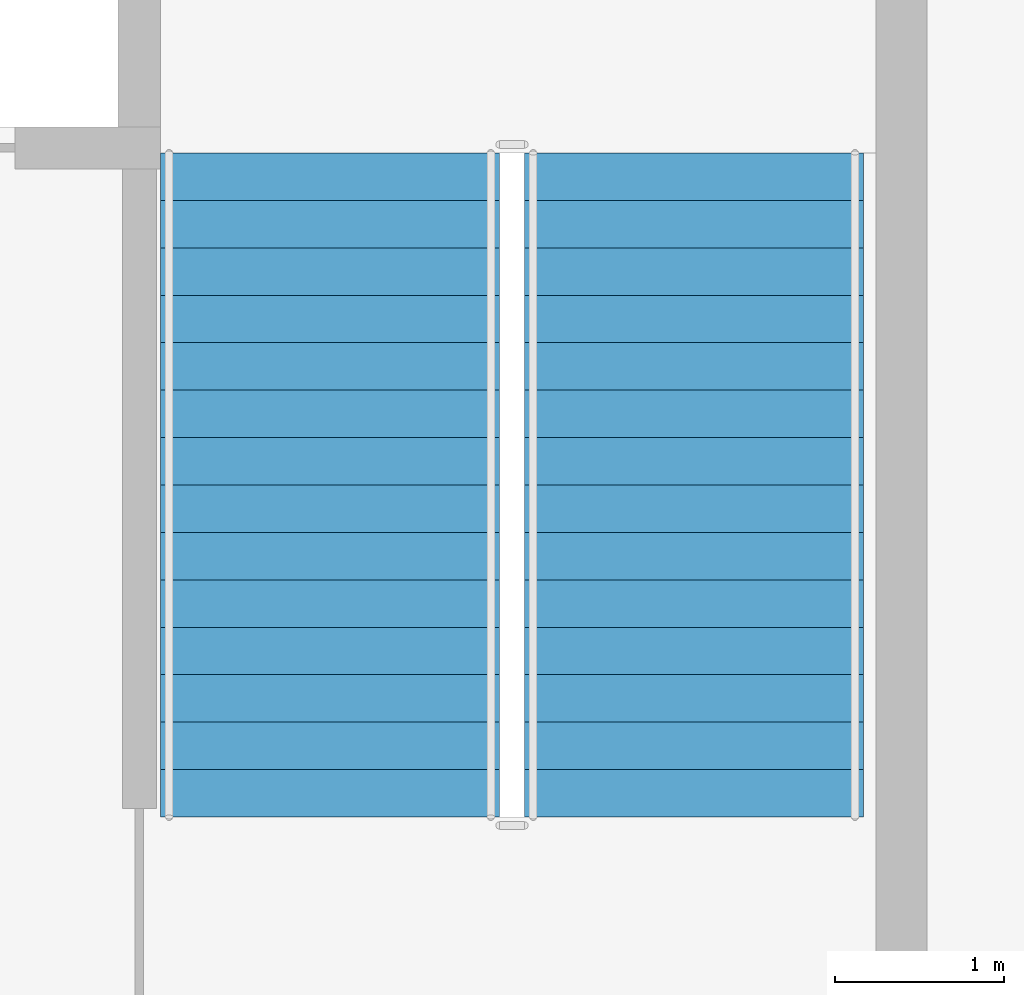
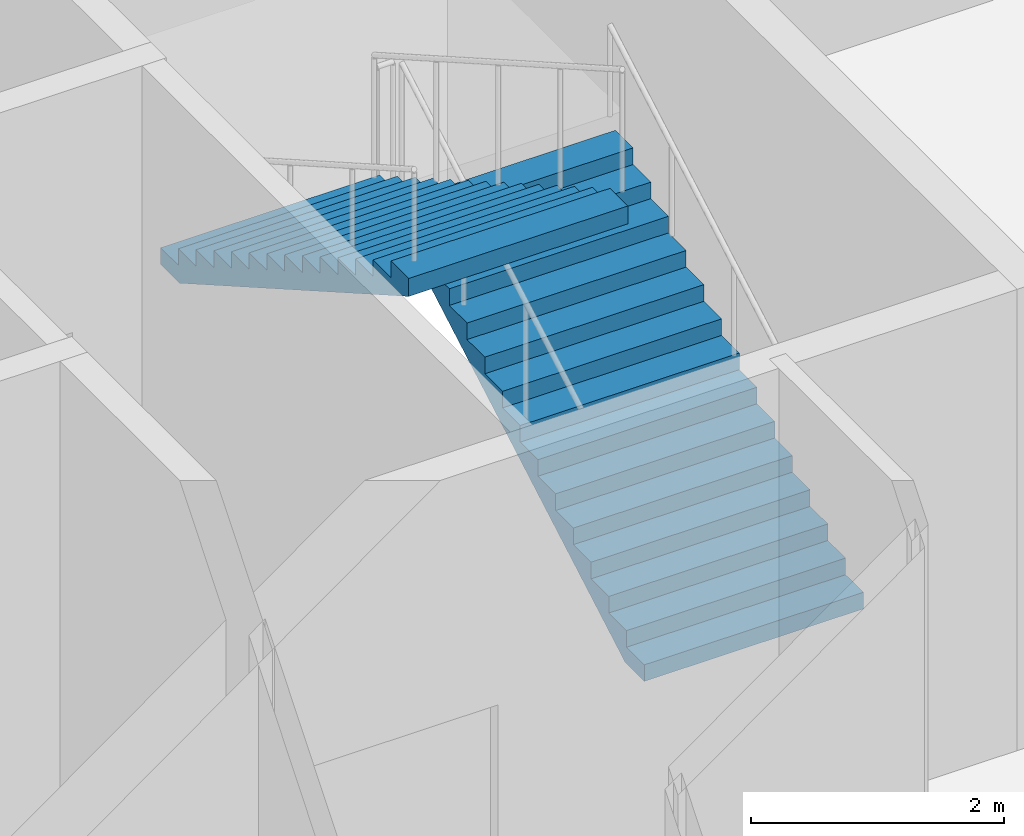
# One storey, part 6 of 10: 2 stair flights, 1 element without a shape of its own.
"""IFC4 building model written with IfcOpenShell, lengths in metres."""

import ifcopenshell
import ifcopenshell.guid

model = None  # the IFC model being written
_history = None  # IfcOwnerHistory: only IFC2X3 demands one
_inside = {}  # id of a spatial element -> (the spatial element, [elements in it])
_under = {}  # id of a project, library or spatial element -> (it, [spatial elements below it])
_declared = {}  # id of a project -> (the project, [libraries it declares])
_typed = {}  # id of a type object -> (the type object, [elements of that type])
_made_of = {}  # id of a material, layer set ... -> (it, [elements and type objects made of it])


def new_model(schema):
    """Start an empty IFC model of exactly this schema.

    Asked for "IFC4X3", IfcOpenShell would pick the latest addendum, in which some entities
    have other attributes; the version numbers below select the first issue.
    IFC2X3 requires an IfcOwnerHistory on every rooted entity: one is made here for all.
    """
    global model, _history
    if schema == "IFC4X3":
        model = ifcopenshell.file(schema_version=(4, 3, 0, 0))
    else:
        model = ifcopenshell.file(schema=schema)
    _inside.clear()
    _under.clear()
    _declared.clear()
    _typed.clear()
    _made_of.clear()
    _history = None
    if model.schema == "IFC2X3":
        org = make("IfcOrganization", Name="unknown")
        user = make(
            "IfcPersonAndOrganization",
            ThePerson=make("IfcPerson", FamilyName="unknown"),
            TheOrganization=org,
        )
        app = make(
            "IfcApplication",
            ApplicationDeveloper=org,
            Version="unknown",
            ApplicationFullName="unknown",
            ApplicationIdentifier="unknown",
        )
        _history = make(
            "IfcOwnerHistory",
            OwningUser=user,
            OwningApplication=app,
            ChangeAction="ADDED",
            CreationDate=0,
        )
    return model


def make(cls, **values):
    """One entity of the class cls with the attributes given. An attribute that is None is left unset."""
    return model.create_entity(
        cls, **{name: value for name, value in values.items() if value is not None}
    )


def rooted(cls, **values):
    """An entity with a GlobalId (a new one), such as an element, a storey or a relation."""
    return make(cls, GlobalId=ifcopenshell.guid.new(), OwnerHistory=_history, **values)


def si_unit(unit_type, name, prefix=None):
    """IfcSIUnit, for example si_unit("LENGTHUNIT", "METRE", prefix="MILLI")."""
    return make("IfcSIUnit", UnitType=unit_type, Prefix=prefix, Name=name)


def assignment(units):
    """IfcUnitAssignment: the units of a project."""
    return None if units is None else make("IfcUnitAssignment", Units=units)


def point(xyz):
    """IfcCartesianPoint."""
    return None if xyz is None else make("IfcCartesianPoint", Coordinates=xyz)


def direction(xyz):
    """IfcDirection."""
    return None if xyz is None else make("IfcDirection", DirectionRatios=xyz)


def frame(location, z_axis=None, x_axis=None):
    """IfcAxis2Placement3D, a coordinate frame: its origin and axes. An axis left out is left unset."""
    return make(
        "IfcAxis2Placement3D",
        Location=point(location),
        Axis=direction(z_axis),
        RefDirection=direction(x_axis),
    )


def origin():
    """The frame at (0, 0, 0) with its axes left unset."""
    return frame((0.0, 0.0, 0.0))


def place(relative_to, where):
    """IfcLocalPlacement: puts the frame where relative to a parent placement (None: the world)."""
    return make(
        "IfcLocalPlacement", PlacementRelTo=relative_to, RelativePlacement=where
    )


def context(
    kind, dimensions, precision=None, world=None, true_north=None, identifier=None
):
    """IfcGeometricRepresentationContext, for example the 3D "Model" context."""
    return make(
        "IfcGeometricRepresentationContext",
        ContextIdentifier=identifier,
        ContextType=kind,
        CoordinateSpaceDimension=dimensions,
        Precision=precision,
        WorldCoordinateSystem=world,
        TrueNorth=true_north,
    )


def subcontext(parent, identifier, kind, view, scale=None):
    """IfcGeometricRepresentationSubContext, for example "Body" below "Model"."""
    return make(
        "IfcGeometricRepresentationSubContext",
        ContextIdentifier=identifier,
        ContextType=kind,
        ParentContext=parent,
        TargetScale=scale,
        TargetView=view,
    )


def project(units=None, contexts=None):
    """IfcProject with its units and contexts."""
    return rooted(
        "IfcProject",
        Name="project",
        RepresentationContexts=contexts,
        UnitsInContext=assignment(units),
    )


def spatial(cls, under=None, at=None, **own):
    """A site, building, storey or space (cls), placed at a placement, below another one or the project."""
    s = rooted(cls, ObjectPlacement=at, **own)
    if under is not None:
        _under.setdefault(under.id(), (under, []))[1].append(s)
    return s


def point_list(points):
    """IfcCartesianPointList2D or 3D."""
    cls = (
        "IfcCartesianPointList2D" if len(points[0]) == 2 else "IfcCartesianPointList3D"
    )
    return make(cls, CoordList=points)


def polygons(points, faces, closed=None, point_numbers=None):
    """IfcPolygonalFaceSet: a face is its outer loop, then its inner loops; points numbered from 1."""
    made = []
    for loops in faces:
        if len(loops) == 1:
            made.append(make("IfcIndexedPolygonalFace", CoordIndex=loops[0]))
        else:
            made.append(
                make(
                    "IfcIndexedPolygonalFaceWithVoids",
                    CoordIndex=loops[0],
                    InnerCoordIndices=loops[1:],
                )
            )
    return make(
        "IfcPolygonalFaceSet",
        Coordinates=point_list(points),
        Closed=closed,
        Faces=made,
        PnIndex=point_numbers,
    )


def shape(context_of_items, identifier, shape_type, items):
    """IfcShapeRepresentation: the items that make up one representation, for example the "Body"."""
    return make(
        "IfcShapeRepresentation",
        ContextOfItems=context_of_items,
        RepresentationIdentifier=identifier,
        RepresentationType=shape_type,
        Items=items,
    )


def material(Name=None, Category=None):
    """IfcMaterial."""
    return make("IfcMaterial", Name=Name, Category=Category)


def made_of(thing, what):
    """Note that an element or type object is made of a material, layer set ...; save() writes the relation."""
    if what is not None:
        _made_of.setdefault(what.id(), (what, []))[1].append(thing)
    return thing


def type_object(cls, material=None, **own):
    """A type object (cls), such as IfcWallType, which elements share."""
    return made_of(rooted(cls, **own), material)


def element(
    cls,
    number,
    at=None,
    inside=None,
    cuts=None,
    type_object=None,
    material=None,
    context=None,
    identifier="Body",
    shape_type=None,
    held_by="IfcProductDefinitionShape",
    body=None,
    shapes=None,
    **own,
):
    """One element of the class cls, such as IfcWall. Its Tag is "e" and its number.

    at: its placement. inside: the storey or other place that contains it. cuts: it is an
    opening in that element (IfcRelVoidsElement). A single representation is given by context,
    identifier, shape_type and body (its items); several are given by shapes. held_by: the class
    of the entity that holds the representations. save() writes the other relations.
    """
    e = rooted(cls, Tag="e%d" % number, ObjectPlacement=at, **own)
    if body is not None:
        shapes = [shape(context, identifier, shape_type, body)]
    if shapes is not None:
        e.Representation = make(held_by, Representations=shapes)
    if inside is not None:
        _inside.setdefault(inside.id(), (inside, []))[1].append(e)
    if cuts is not None:
        rooted(
            "IfcRelVoidsElement", RelatingBuildingElement=cuts, RelatedOpeningElement=e
        )
    if type_object is not None:
        _typed.setdefault(type_object.id(), (type_object, []))[1].append(e)
    return made_of(e, material)


def aggregate(whole, parts):
    """IfcRelAggregates: a whole, such as a stair, and the parts it consists of."""
    return rooted("IfcRelAggregates", RelatingObject=whole, RelatedObjects=parts)


def save(model, path):
    """Write the relations noted so far, then the file.

    IfcRelAggregates (storeys below a building ...), IfcRelContainedInSpatialStructure (elements
    in a storey), IfcRelDefinesByType, IfcRelAssociatesMaterial and IfcRelDeclares: one each for
    every whole, place, type object, material and project.
    """
    for whole, parts in _under.values():
        aggregate(whole, parts)
    for where, things in _inside.values():
        rooted(
            "IfcRelContainedInSpatialStructure",
            RelatedElements=things,
            RelatingStructure=where,
        )
    for kind, things in _typed.values():
        rooted("IfcRelDefinesByType", RelatedObjects=things, RelatingType=kind)
    for what, things in _made_of.values():
        rooted("IfcRelAssociatesMaterial", RelatedObjects=things, RelatingMaterial=what)
    for by, libraries in _declared.values():
        rooted("IfcRelDeclares", RelatingContext=by, RelatedDefinitions=libraries)
    model.write(path)


model = new_model("IFC4")

# Units and contexts
model_context = context("Model", 3, precision=1e-05, world=origin(), true_north=direction((0.0, 1.0)))
body_context = subcontext(model_context, "Body", "Model", "MODEL_VIEW")
ifc_project = project(units=[si_unit("LENGTHUNIT", "METRE"), si_unit("AREAUNIT", "SQUARE_METRE"), si_unit("VOLUMEUNIT", "CUBIC_METRE"), si_unit("PLANEANGLEUNIT", "RADIAN"), si_unit("MASSUNIT", "GRAM", prefix="KILO")], contexts=[model_context])

# Site, building, storey
site_placement = place(None, origin())
site = spatial("IfcSite", under=ifc_project, at=site_placement, CompositionType="ELEMENT")
building_placement = place(site_placement, origin())
building = spatial("IfcBuilding", under=site, at=building_placement, Name="Caravel Reach Hotel and Residences", CompositionType="ELEMENT")
storey_placement = place(building_placement, frame((0.0, 0.0, 140.39990234375)))
storey = spatial("IfcBuildingStorey", under=building, at=storey_placement, Name="L35", CompositionType="ELEMENT", Elevation=140.39990234375)

# Stair, stair flights
ifc_material_1 = material(Name="Concrete C40", Category="concrete")
stair_type = type_object("IfcStairType", Name="Core stair", PredefinedType="HALF_TURN_STAIR", material=ifc_material_1)
stair_placement = place(storey_placement, origin())
stair = element("IfcStair", 1, at=stair_placement, inside=storey, type_object=stair_type, Name="L35 Exit stair B", PredefinedType="HALF_TURN_STAIR")
ifc_material_2 = material(Name="Concrete C40", Category="concrete")
stair_flight_type = type_object("IfcStairFlightType", Name="Core stair flight", PredefinedType="STRAIGHT", material=ifc_material_2)
stair_flight_1_placement = place(storey_placement, frame((43.77490234375, 24.64990234375, 0.0), z_axis=(0.0, 0.0, 1.0), x_axis=(0.0, 1.0, 0.0)))
stair_flight_1 = element("IfcStairFlight", 2, at=stair_flight_1_placement, type_object=stair_flight_type, Name="ST-B flight 1", NumberOfRisers=15, NumberOfTreads=14, PredefinedType="STRAIGHT", RiserHeight=0.16, TreadLength=0.28, context=body_context, shape_type="Tessellation", body=[
    polygons([(0.30213783309663755, 1.0, 0.0), (0.30213783309663755, 0.6666666666666667, 0.0), (0.30213783309663755, 0.33333333333333337, 0.0), (0.30213783309663755, 0.0, 0.0), (0.30213783309663755, -0.33333333333333326, 0.0), (0.30213783309663755, -0.6666666666666667, 0.0), (0.30213783309663755, -1.0, 0.0), (3.9210000000000003, 1.0, 2.0673498096590643), (3.9210000000000003, 0.6666666666666667, 2.0673498096590643), (3.9210000000000003, 0.33333333333333337, 2.0673498096590643), (3.9210000000000003, 0.0, 2.0673498096590643), (3.9210000000000003, -0.33333333333333326, 2.0673498096590643), (3.9210000000000003, -0.6666666666666667, 2.0673498096590643), (3.9210000000000003, -1.0, 2.0673498096590643), (3.9210000000000003, 1.0, 2.24), (3.9210000000000003, 0.6666666666666667, 2.24), (3.9210000000000003, 0.33333333333333337, 2.24), (3.9210000000000003, 0.0, 2.24), (3.9210000000000003, -0.33333333333333326, 2.24), (3.9210000000000003, -0.6666666666666667, 2.24), (3.9210000000000003, -1.0, 2.24), (3.6400000000000006, 1.0, 2.24), (3.6400000000000006, 0.6666666666666667, 2.24), (3.6400000000000006, 0.33333333333333337, 2.24), (3.6400000000000006, 0.0, 2.24), (3.6400000000000006, -0.33333333333333326, 2.24), (3.6400000000000006, -0.6666666666666667, 2.24), (3.6400000000000006, -1.0, 2.24), (3.6400000000000006, 1.0, 2.08), (3.6400000000000006, 0.6666666666666667, 2.08), (3.6400000000000006, 0.33333333333333337, 2.08), (3.6400000000000006, 0.0, 2.08), (3.6400000000000006, -0.33333333333333326, 2.08), (3.6400000000000006, -0.6666666666666667, 2.08), (3.6400000000000006, -1.0, 2.08), (3.3600000000000003, 1.0, 2.08), (3.3600000000000003, 0.6666666666666667, 2.08), (3.3600000000000003, 0.33333333333333337, 2.08), (3.3600000000000003, 0.0, 2.08), (3.3600000000000003, -0.33333333333333326, 2.08), (3.3600000000000003, -0.6666666666666667, 2.08), (3.3600000000000003, -1.0, 2.08), (3.3600000000000003, 1.0, 1.92), (3.3600000000000003, 0.6666666666666667, 1.92), (3.3600000000000003, 0.33333333333333337, 1.92), (3.3600000000000003, 0.0, 1.92), (3.3600000000000003, -0.33333333333333326, 1.92), (3.3600000000000003, -0.6666666666666667, 1.92), (3.3600000000000003, -1.0, 1.92), (3.08, 1.0, 1.92), (3.08, 0.6666666666666667, 1.92), (3.08, 0.33333333333333337, 1.92), (3.08, 0.0, 1.92), (3.08, -0.33333333333333326, 1.92), (3.08, -0.6666666666666667, 1.92), (3.08, -1.0, 1.92), (3.08, 1.0, 1.76), (3.08, 0.6666666666666667, 1.76), (3.08, 0.33333333333333337, 1.76), (3.08, 0.0, 1.76), (3.08, -0.33333333333333326, 1.76), (3.08, -0.6666666666666667, 1.76), (3.08, -1.0, 1.76), (2.8000000000000003, 1.0, 1.76), (2.8000000000000003, 0.6666666666666667, 1.76), (2.8000000000000003, 0.33333333333333337, 1.76), (2.8000000000000003, 0.0, 1.76), (2.8000000000000003, -0.33333333333333326, 1.76), (2.8000000000000003, -0.6666666666666667, 1.76), (2.8000000000000003, -1.0, 1.76), (2.8000000000000003, 1.0, 1.6), (2.8000000000000003, 0.6666666666666667, 1.6), (2.8000000000000003, 0.33333333333333337, 1.6), (2.8000000000000003, 0.0, 1.6), (2.8000000000000003, -0.33333333333333326, 1.6), (2.8000000000000003, -0.6666666666666667, 1.6), (2.8000000000000003, -1.0, 1.6), (2.5200000000000005, 1.0, 1.6), (2.5200000000000005, 0.6666666666666667, 1.6), (2.5200000000000005, 0.33333333333333337, 1.6), (2.5200000000000005, 0.0, 1.6), (2.5200000000000005, -0.33333333333333326, 1.6), (2.5200000000000005, -0.6666666666666667, 1.6), (2.5200000000000005, -1.0, 1.6), (2.5200000000000005, 1.0, 1.44), (2.5200000000000005, 0.6666666666666667, 1.44), (2.5200000000000005, 0.33333333333333337, 1.44), (2.5200000000000005, 0.0, 1.44), (2.5200000000000005, -0.33333333333333326, 1.44), (2.5200000000000005, -0.6666666666666667, 1.44), (2.5200000000000005, -1.0, 1.44), (2.24, 1.0, 1.44), (2.24, 0.6666666666666667, 1.44), (2.24, 0.33333333333333337, 1.44), (2.24, 0.0, 1.44), (2.24, -0.33333333333333326, 1.44), (2.24, -0.6666666666666667, 1.44), (2.24, -1.0, 1.44), (2.24, 1.0, 1.28), (2.24, 0.6666666666666667, 1.28), (2.24, 0.33333333333333337, 1.28), (2.24, 0.0, 1.28), (2.24, -0.33333333333333326, 1.28), (2.24, -0.6666666666666667, 1.28), (2.24, -1.0, 1.28), (1.9600000000000002, 1.0, 1.28), (1.9600000000000002, 0.6666666666666667, 1.28), (1.9600000000000002, 0.33333333333333337, 1.28), (1.9600000000000002, 0.0, 1.28), (1.9600000000000002, -0.33333333333333326, 1.28), (1.9600000000000002, -0.6666666666666667, 1.28), (1.9600000000000002, -1.0, 1.28), (1.9600000000000002, 1.0, 1.12), (1.9600000000000002, 0.6666666666666667, 1.12), (1.9600000000000002, 0.33333333333333337, 1.12), (1.9600000000000002, 0.0, 1.12), (1.9600000000000002, -0.33333333333333326, 1.12), (1.9600000000000002, -0.6666666666666667, 1.12), (1.9600000000000002, -1.0, 1.12), (1.6800000000000002, 1.0, 1.12), (1.6800000000000002, 0.6666666666666667, 1.12), (1.6800000000000002, 0.33333333333333337, 1.12), (1.6800000000000002, 0.0, 1.12), (1.6800000000000002, -0.33333333333333326, 1.12), (1.6800000000000002, -0.6666666666666667, 1.12), (1.6800000000000002, -1.0, 1.12), (1.6800000000000002, 1.0, 0.96), (1.6800000000000002, 0.6666666666666667, 0.96), (1.6800000000000002, 0.33333333333333337, 0.96), (1.6800000000000002, 0.0, 0.96), (1.6800000000000002, -0.33333333333333326, 0.96), (1.6800000000000002, -0.6666666666666667, 0.96), (1.6800000000000002, -1.0, 0.96), (1.4000000000000001, 1.0, 0.96), (1.4000000000000001, 0.6666666666666667, 0.96), (1.4000000000000001, 0.33333333333333337, 0.96), (1.4000000000000001, 0.0, 0.96), (1.4000000000000001, -0.33333333333333326, 0.96), (1.4000000000000001, -0.6666666666666667, 0.96), (1.4000000000000001, -1.0, 0.96), (1.4000000000000001, 1.0, 0.8), (1.4000000000000001, 0.6666666666666667, 0.8), (1.4000000000000001, 0.33333333333333337, 0.8), (1.4000000000000001, 0.0, 0.8), (1.4000000000000001, -0.33333333333333326, 0.8), (1.4000000000000001, -0.6666666666666667, 0.8), (1.4000000000000001, -1.0, 0.8), (1.12, 1.0, 0.8), (1.12, 0.6666666666666667, 0.8), (1.12, 0.33333333333333337, 0.8), (1.12, 0.0, 0.8), (1.12, -0.33333333333333326, 0.8), (1.12, -0.6666666666666667, 0.8), (1.12, -1.0, 0.8), (1.12, 1.0, 0.64), (1.12, 0.6666666666666667, 0.64), (1.12, 0.33333333333333337, 0.64), (1.12, 0.0, 0.64), (1.12, -0.33333333333333326, 0.64), (1.12, -0.6666666666666667, 0.64), (1.12, -1.0, 0.64), (0.8400000000000001, 1.0, 0.64), (0.8400000000000001, 0.6666666666666667, 0.64), (0.8400000000000001, 0.33333333333333337, 0.64), (0.8400000000000001, 0.0, 0.64), (0.8400000000000001, -0.33333333333333326, 0.64), (0.8400000000000001, -0.6666666666666667, 0.64), (0.8400000000000001, -1.0, 0.64), (0.8400000000000001, 1.0, 0.48), (0.8400000000000001, 0.6666666666666667, 0.48), (0.8400000000000001, 0.33333333333333337, 0.48), (0.8400000000000001, 0.0, 0.48), (0.8400000000000001, -0.33333333333333326, 0.48), (0.8400000000000001, -0.6666666666666667, 0.48), (0.8400000000000001, -1.0, 0.48), (0.56, 1.0, 0.48), (0.56, 0.6666666666666667, 0.48), (0.56, 0.33333333333333337, 0.48), (0.56, 0.0, 0.48), (0.56, -0.33333333333333326, 0.48), (0.56, -0.6666666666666667, 0.48), (0.56, -1.0, 0.48), (0.56, 1.0, 0.32), (0.56, 0.6666666666666667, 0.32), (0.56, 0.33333333333333337, 0.32), (0.56, 0.0, 0.32), (0.56, -0.33333333333333326, 0.32), (0.56, -0.6666666666666667, 0.32), (0.56, -1.0, 0.32), (0.28, 1.0, 0.32), (0.28, 0.6666666666666667, 0.32), (0.28, 0.33333333333333337, 0.32), (0.28, 0.0, 0.32), (0.28, -0.33333333333333326, 0.32), (0.28, -0.6666666666666667, 0.32), (0.28, -1.0, 0.32), (0.28, 1.0, 0.16), (0.28, 0.6666666666666667, 0.16), (0.28, 0.33333333333333337, 0.16), (0.28, 0.0, 0.16), (0.28, -0.33333333333333326, 0.16), (0.28, -0.6666666666666667, 0.16), (0.28, -1.0, 0.16), (-0.001, 1.0, 0.16), (-0.001, 0.6666666666666667, 0.16), (-0.001, 0.33333333333333337, 0.16), (-0.001, 0.0, 0.16), (-0.001, -0.33333333333333326, 0.16), (-0.001, -0.6666666666666667, 0.16), (-0.001, -1.0, 0.16), (-0.001, 1.0, 0.0), (-0.001, 0.6666666666666667, 0.0), (-0.001, 0.33333333333333337, 0.0), (-0.001, 0.0, 0.0), (-0.001, -0.33333333333333326, 0.0), (-0.001, -0.6666666666666667, 0.0), (-0.001, -1.0, 0.0)], [[[211, 204, 197, 190, 183, 176, 169, 162, 155, 148, 141, 134, 127, 120, 113, 106, 99, 92, 85, 78, 71, 64, 57, 50, 43, 36, 29, 22, 15, 8, 1]], [[7, 14, 21, 28, 35, 42, 49, 56, 63, 70, 77, 84, 91, 98, 105, 112, 119, 126, 133, 140, 147, 154, 161, 168, 175, 182, 189, 196, 203, 210, 217]], [[1, 8, 9, 2]], [[2, 9, 10, 3]], [[3, 10, 11, 4]], [[4, 11, 12, 5]], [[5, 12, 13, 6]], [[6, 13, 14, 7]], [[8, 15, 16, 9]], [[9, 16, 17, 10]], [[10, 17, 18, 11]], [[11, 18, 19, 12]], [[12, 19, 20, 13]], [[13, 20, 21, 14]], [[15, 22, 23, 16]], [[16, 23, 24, 17]], [[17, 24, 25, 18]], [[18, 25, 26, 19]], [[19, 26, 27, 20]], [[20, 27, 28, 21]], [[22, 29, 30, 23]], [[23, 30, 31, 24]], [[24, 31, 32, 25]], [[25, 32, 33, 26]], [[26, 33, 34, 27]], [[27, 34, 35, 28]], [[29, 36, 37, 30]], [[30, 37, 38, 31]], [[31, 38, 39, 32]], [[32, 39, 40, 33]], [[33, 40, 41, 34]], [[34, 41, 42, 35]], [[36, 43, 44, 37]], [[37, 44, 45, 38]], [[38, 45, 46, 39]], [[39, 46, 47, 40]], [[40, 47, 48, 41]], [[41, 48, 49, 42]], [[43, 50, 51, 44]], [[44, 51, 52, 45]], [[45, 52, 53, 46]], [[46, 53, 54, 47]], [[47, 54, 55, 48]], [[48, 55, 56, 49]], [[50, 57, 58, 51]], [[51, 58, 59, 52]], [[52, 59, 60, 53]], [[53, 60, 61, 54]], [[54, 61, 62, 55]], [[55, 62, 63, 56]], [[57, 64, 65, 58]], [[58, 65, 66, 59]], [[59, 66, 67, 60]], [[60, 67, 68, 61]], [[61, 68, 69, 62]], [[62, 69, 70, 63]], [[64, 71, 72, 65]], [[65, 72, 73, 66]], [[66, 73, 74, 67]], [[67, 74, 75, 68]], [[68, 75, 76, 69]], [[69, 76, 77, 70]], [[71, 78, 79, 72]], [[72, 79, 80, 73]], [[73, 80, 81, 74]], [[74, 81, 82, 75]], [[75, 82, 83, 76]], [[76, 83, 84, 77]], [[78, 85, 86, 79]], [[79, 86, 87, 80]], [[80, 87, 88, 81]], [[81, 88, 89, 82]], [[82, 89, 90, 83]], [[83, 90, 91, 84]], [[85, 92, 93, 86]], [[86, 93, 94, 87]], [[87, 94, 95, 88]], [[88, 95, 96, 89]], [[89, 96, 97, 90]], [[90, 97, 98, 91]], [[92, 99, 100, 93]], [[93, 100, 101, 94]], [[94, 101, 102, 95]], [[95, 102, 103, 96]], [[96, 103, 104, 97]], [[97, 104, 105, 98]], [[99, 106, 107, 100]], [[100, 107, 108, 101]], [[101, 108, 109, 102]], [[102, 109, 110, 103]], [[103, 110, 111, 104]], [[104, 111, 112, 105]], [[106, 113, 114, 107]], [[107, 114, 115, 108]], [[108, 115, 116, 109]], [[109, 116, 117, 110]], [[110, 117, 118, 111]], [[111, 118, 119, 112]], [[113, 120, 121, 114]], [[114, 121, 122, 115]], [[115, 122, 123, 116]], [[116, 123, 124, 117]], [[117, 124, 125, 118]], [[118, 125, 126, 119]], [[120, 127, 128, 121]], [[121, 128, 129, 122]], [[122, 129, 130, 123]], [[123, 130, 131, 124]], [[124, 131, 132, 125]], [[125, 132, 133, 126]], [[127, 134, 135, 128]], [[128, 135, 136, 129]], [[129, 136, 137, 130]], [[130, 137, 138, 131]], [[131, 138, 139, 132]], [[132, 139, 140, 133]], [[134, 141, 142, 135]], [[135, 142, 143, 136]], [[136, 143, 144, 137]], [[137, 144, 145, 138]], [[138, 145, 146, 139]], [[139, 146, 147, 140]], [[141, 148, 149, 142]], [[142, 149, 150, 143]], [[143, 150, 151, 144]], [[144, 151, 152, 145]], [[145, 152, 153, 146]], [[146, 153, 154, 147]], [[148, 155, 156, 149]], [[149, 156, 157, 150]], [[150, 157, 158, 151]], [[151, 158, 159, 152]], [[152, 159, 160, 153]], [[153, 160, 161, 154]], [[155, 162, 163, 156]], [[156, 163, 164, 157]], [[157, 164, 165, 158]], [[158, 165, 166, 159]], [[159, 166, 167, 160]], [[160, 167, 168, 161]], [[162, 169, 170, 163]], [[163, 170, 171, 164]], [[164, 171, 172, 165]], [[165, 172, 173, 166]], [[166, 173, 174, 167]], [[167, 174, 175, 168]], [[169, 176, 177, 170]], [[170, 177, 178, 171]], [[171, 178, 179, 172]], [[172, 179, 180, 173]], [[173, 180, 181, 174]], [[174, 181, 182, 175]], [[176, 183, 184, 177]], [[177, 184, 185, 178]], [[178, 185, 186, 179]], [[179, 186, 187, 180]], [[180, 187, 188, 181]], [[181, 188, 189, 182]], [[183, 190, 191, 184]], [[184, 191, 192, 185]], [[185, 192, 193, 186]], [[186, 193, 194, 187]], [[187, 194, 195, 188]], [[188, 195, 196, 189]], [[190, 197, 198, 191]], [[191, 198, 199, 192]], [[192, 199, 200, 193]], [[193, 200, 201, 194]], [[194, 201, 202, 195]], [[195, 202, 203, 196]], [[197, 204, 205, 198]], [[198, 205, 206, 199]], [[199, 206, 207, 200]], [[200, 207, 208, 201]], [[201, 208, 209, 202]], [[202, 209, 210, 203]], [[204, 211, 212, 205]], [[205, 212, 213, 206]], [[206, 213, 214, 207]], [[207, 214, 215, 208]], [[208, 215, 216, 209]], [[209, 216, 217, 210]], [[211, 1, 2, 212]], [[212, 2, 3, 213]], [[213, 3, 4, 214]], [[214, 4, 5, 215]], [[215, 5, 6, 216]], [[216, 6, 7, 217]]], closed=True),
])
stair_flight_2_placement = place(storey_placement, frame((41.625, 28.570068359375, 2.400146484375), z_axis=(0.0, 0.0, 1.0), x_axis=(0.0, -1.0, 0.0)))
stair_flight_2 = element("IfcStairFlight", 3, at=stair_flight_2_placement, type_object=stair_flight_type, Name="ST-B flight 2", NumberOfRisers=15, NumberOfTreads=14, PredefinedType="STRAIGHT", RiserHeight=0.16, TreadLength=0.28, context=body_context, shape_type="Tessellation", body=[
    polygons([(0.30213783309663755, 1.0, 0.0), (0.30213783309663755, 0.6666666666666667, 0.0), (0.30213783309663755, 0.33333333333333337, 0.0), (0.30213783309663755, 0.0, 0.0), (0.30213783309663755, -0.33333333333333326, 0.0), (0.30213783309663755, -0.6666666666666667, 0.0), (0.30213783309663755, -1.0, 0.0), (3.9210000000000003, 1.0, 2.0673498096590643), (3.9210000000000003, 0.6666666666666667, 2.0673498096590643), (3.9210000000000003, 0.33333333333333337, 2.0673498096590643), (3.9210000000000003, 0.0, 2.0673498096590643), (3.9210000000000003, -0.33333333333333326, 2.0673498096590643), (3.9210000000000003, -0.6666666666666667, 2.0673498096590643), (3.9210000000000003, -1.0, 2.0673498096590643), (3.9210000000000003, 1.0, 2.24), (3.9210000000000003, 0.6666666666666667, 2.24), (3.9210000000000003, 0.33333333333333337, 2.24), (3.9210000000000003, 0.0, 2.24), (3.9210000000000003, -0.33333333333333326, 2.24), (3.9210000000000003, -0.6666666666666667, 2.24), (3.9210000000000003, -1.0, 2.24), (3.6400000000000006, 1.0, 2.24), (3.6400000000000006, 0.6666666666666667, 2.24), (3.6400000000000006, 0.33333333333333337, 2.24), (3.6400000000000006, 0.0, 2.24), (3.6400000000000006, -0.33333333333333326, 2.24), (3.6400000000000006, -0.6666666666666667, 2.24), (3.6400000000000006, -1.0, 2.24), (3.6400000000000006, 1.0, 2.08), (3.6400000000000006, 0.6666666666666667, 2.08), (3.6400000000000006, 0.33333333333333337, 2.08), (3.6400000000000006, 0.0, 2.08), (3.6400000000000006, -0.33333333333333326, 2.08), (3.6400000000000006, -0.6666666666666667, 2.08), (3.6400000000000006, -1.0, 2.08), (3.3600000000000003, 1.0, 2.08), (3.3600000000000003, 0.6666666666666667, 2.08), (3.3600000000000003, 0.33333333333333337, 2.08), (3.3600000000000003, 0.0, 2.08), (3.3600000000000003, -0.33333333333333326, 2.08), (3.3600000000000003, -0.6666666666666667, 2.08), (3.3600000000000003, -1.0, 2.08), (3.3600000000000003, 1.0, 1.92), (3.3600000000000003, 0.6666666666666667, 1.92), (3.3600000000000003, 0.33333333333333337, 1.92), (3.3600000000000003, 0.0, 1.92), (3.3600000000000003, -0.33333333333333326, 1.92), (3.3600000000000003, -0.6666666666666667, 1.92), (3.3600000000000003, -1.0, 1.92), (3.08, 1.0, 1.92), (3.08, 0.6666666666666667, 1.92), (3.08, 0.33333333333333337, 1.92), (3.08, 0.0, 1.92), (3.08, -0.33333333333333326, 1.92), (3.08, -0.6666666666666667, 1.92), (3.08, -1.0, 1.92), (3.08, 1.0, 1.76), (3.08, 0.6666666666666667, 1.76), (3.08, 0.33333333333333337, 1.76), (3.08, 0.0, 1.76), (3.08, -0.33333333333333326, 1.76), (3.08, -0.6666666666666667, 1.76), (3.08, -1.0, 1.76), (2.8000000000000003, 1.0, 1.76), (2.8000000000000003, 0.6666666666666667, 1.76), (2.8000000000000003, 0.33333333333333337, 1.76), (2.8000000000000003, 0.0, 1.76), (2.8000000000000003, -0.33333333333333326, 1.76), (2.8000000000000003, -0.6666666666666667, 1.76), (2.8000000000000003, -1.0, 1.76), (2.8000000000000003, 1.0, 1.6), (2.8000000000000003, 0.6666666666666667, 1.6), (2.8000000000000003, 0.33333333333333337, 1.6), (2.8000000000000003, 0.0, 1.6), (2.8000000000000003, -0.33333333333333326, 1.6), (2.8000000000000003, -0.6666666666666667, 1.6), (2.8000000000000003, -1.0, 1.6), (2.5200000000000005, 1.0, 1.6), (2.5200000000000005, 0.6666666666666667, 1.6), (2.5200000000000005, 0.33333333333333337, 1.6), (2.5200000000000005, 0.0, 1.6), (2.5200000000000005, -0.33333333333333326, 1.6), (2.5200000000000005, -0.6666666666666667, 1.6), (2.5200000000000005, -1.0, 1.6), (2.5200000000000005, 1.0, 1.44), (2.5200000000000005, 0.6666666666666667, 1.44), (2.5200000000000005, 0.33333333333333337, 1.44), (2.5200000000000005, 0.0, 1.44), (2.5200000000000005, -0.33333333333333326, 1.44), (2.5200000000000005, -0.6666666666666667, 1.44), (2.5200000000000005, -1.0, 1.44), (2.24, 1.0, 1.44), (2.24, 0.6666666666666667, 1.44), (2.24, 0.33333333333333337, 1.44), (2.24, 0.0, 1.44), (2.24, -0.33333333333333326, 1.44), (2.24, -0.6666666666666667, 1.44), (2.24, -1.0, 1.44), (2.24, 1.0, 1.28), (2.24, 0.6666666666666667, 1.28), (2.24, 0.33333333333333337, 1.28), (2.24, 0.0, 1.28), (2.24, -0.33333333333333326, 1.28), (2.24, -0.6666666666666667, 1.28), (2.24, -1.0, 1.28), (1.9600000000000002, 1.0, 1.28), (1.9600000000000002, 0.6666666666666667, 1.28), (1.9600000000000002, 0.33333333333333337, 1.28), (1.9600000000000002, 0.0, 1.28), (1.9600000000000002, -0.33333333333333326, 1.28), (1.9600000000000002, -0.6666666666666667, 1.28), (1.9600000000000002, -1.0, 1.28), (1.9600000000000002, 1.0, 1.12), (1.9600000000000002, 0.6666666666666667, 1.12), (1.9600000000000002, 0.33333333333333337, 1.12), (1.9600000000000002, 0.0, 1.12), (1.9600000000000002, -0.33333333333333326, 1.12), (1.9600000000000002, -0.6666666666666667, 1.12), (1.9600000000000002, -1.0, 1.12), (1.6800000000000002, 1.0, 1.12), (1.6800000000000002, 0.6666666666666667, 1.12), (1.6800000000000002, 0.33333333333333337, 1.12), (1.6800000000000002, 0.0, 1.12), (1.6800000000000002, -0.33333333333333326, 1.12), (1.6800000000000002, -0.6666666666666667, 1.12), (1.6800000000000002, -1.0, 1.12), (1.6800000000000002, 1.0, 0.96), (1.6800000000000002, 0.6666666666666667, 0.96), (1.6800000000000002, 0.33333333333333337, 0.96), (1.6800000000000002, 0.0, 0.96), (1.6800000000000002, -0.33333333333333326, 0.96), (1.6800000000000002, -0.6666666666666667, 0.96), (1.6800000000000002, -1.0, 0.96), (1.4000000000000001, 1.0, 0.96), (1.4000000000000001, 0.6666666666666667, 0.96), (1.4000000000000001, 0.33333333333333337, 0.96), (1.4000000000000001, 0.0, 0.96), (1.4000000000000001, -0.33333333333333326, 0.96), (1.4000000000000001, -0.6666666666666667, 0.96), (1.4000000000000001, -1.0, 0.96), (1.4000000000000001, 1.0, 0.8), (1.4000000000000001, 0.6666666666666667, 0.8), (1.4000000000000001, 0.33333333333333337, 0.8), (1.4000000000000001, 0.0, 0.8), (1.4000000000000001, -0.33333333333333326, 0.8), (1.4000000000000001, -0.6666666666666667, 0.8), (1.4000000000000001, -1.0, 0.8), (1.12, 1.0, 0.8), (1.12, 0.6666666666666667, 0.8), (1.12, 0.33333333333333337, 0.8), (1.12, 0.0, 0.8), (1.12, -0.33333333333333326, 0.8), (1.12, -0.6666666666666667, 0.8), (1.12, -1.0, 0.8), (1.12, 1.0, 0.64), (1.12, 0.6666666666666667, 0.64), (1.12, 0.33333333333333337, 0.64), (1.12, 0.0, 0.64), (1.12, -0.33333333333333326, 0.64), (1.12, -0.6666666666666667, 0.64), (1.12, -1.0, 0.64), (0.8400000000000001, 1.0, 0.64), (0.8400000000000001, 0.6666666666666667, 0.64), (0.8400000000000001, 0.33333333333333337, 0.64), (0.8400000000000001, 0.0, 0.64), (0.8400000000000001, -0.33333333333333326, 0.64), (0.8400000000000001, -0.6666666666666667, 0.64), (0.8400000000000001, -1.0, 0.64), (0.8400000000000001, 1.0, 0.48), (0.8400000000000001, 0.6666666666666667, 0.48), (0.8400000000000001, 0.33333333333333337, 0.48), (0.8400000000000001, 0.0, 0.48), (0.8400000000000001, -0.33333333333333326, 0.48), (0.8400000000000001, -0.6666666666666667, 0.48), (0.8400000000000001, -1.0, 0.48), (0.56, 1.0, 0.48), (0.56, 0.6666666666666667, 0.48), (0.56, 0.33333333333333337, 0.48), (0.56, 0.0, 0.48), (0.56, -0.33333333333333326, 0.48), (0.56, -0.6666666666666667, 0.48), (0.56, -1.0, 0.48), (0.56, 1.0, 0.32), (0.56, 0.6666666666666667, 0.32), (0.56, 0.33333333333333337, 0.32), (0.56, 0.0, 0.32), (0.56, -0.33333333333333326, 0.32), (0.56, -0.6666666666666667, 0.32), (0.56, -1.0, 0.32), (0.28, 1.0, 0.32), (0.28, 0.6666666666666667, 0.32), (0.28, 0.33333333333333337, 0.32), (0.28, 0.0, 0.32), (0.28, -0.33333333333333326, 0.32), (0.28, -0.6666666666666667, 0.32), (0.28, -1.0, 0.32), (0.28, 1.0, 0.16), (0.28, 0.6666666666666667, 0.16), (0.28, 0.33333333333333337, 0.16), (0.28, 0.0, 0.16), (0.28, -0.33333333333333326, 0.16), (0.28, -0.6666666666666667, 0.16), (0.28, -1.0, 0.16), (-0.001, 1.0, 0.16), (-0.001, 0.6666666666666667, 0.16), (-0.001, 0.33333333333333337, 0.16), (-0.001, 0.0, 0.16), (-0.001, -0.33333333333333326, 0.16), (-0.001, -0.6666666666666667, 0.16), (-0.001, -1.0, 0.16), (-0.001, 1.0, 0.0), (-0.001, 0.6666666666666667, 0.0), (-0.001, 0.33333333333333337, 0.0), (-0.001, 0.0, 0.0), (-0.001, -0.33333333333333326, 0.0), (-0.001, -0.6666666666666667, 0.0), (-0.001, -1.0, 0.0)], [[[211, 204, 197, 190, 183, 176, 169, 162, 155, 148, 141, 134, 127, 120, 113, 106, 99, 92, 85, 78, 71, 64, 57, 50, 43, 36, 29, 22, 15, 8, 1]], [[7, 14, 21, 28, 35, 42, 49, 56, 63, 70, 77, 84, 91, 98, 105, 112, 119, 126, 133, 140, 147, 154, 161, 168, 175, 182, 189, 196, 203, 210, 217]], [[1, 8, 9, 2]], [[2, 9, 10, 3]], [[3, 10, 11, 4]], [[4, 11, 12, 5]], [[5, 12, 13, 6]], [[6, 13, 14, 7]], [[8, 15, 16, 9]], [[9, 16, 17, 10]], [[10, 17, 18, 11]], [[11, 18, 19, 12]], [[12, 19, 20, 13]], [[13, 20, 21, 14]], [[15, 22, 23, 16]], [[16, 23, 24, 17]], [[17, 24, 25, 18]], [[18, 25, 26, 19]], [[19, 26, 27, 20]], [[20, 27, 28, 21]], [[22, 29, 30, 23]], [[23, 30, 31, 24]], [[24, 31, 32, 25]], [[25, 32, 33, 26]], [[26, 33, 34, 27]], [[27, 34, 35, 28]], [[29, 36, 37, 30]], [[30, 37, 38, 31]], [[31, 38, 39, 32]], [[32, 39, 40, 33]], [[33, 40, 41, 34]], [[34, 41, 42, 35]], [[36, 43, 44, 37]], [[37, 44, 45, 38]], [[38, 45, 46, 39]], [[39, 46, 47, 40]], [[40, 47, 48, 41]], [[41, 48, 49, 42]], [[43, 50, 51, 44]], [[44, 51, 52, 45]], [[45, 52, 53, 46]], [[46, 53, 54, 47]], [[47, 54, 55, 48]], [[48, 55, 56, 49]], [[50, 57, 58, 51]], [[51, 58, 59, 52]], [[52, 59, 60, 53]], [[53, 60, 61, 54]], [[54, 61, 62, 55]], [[55, 62, 63, 56]], [[57, 64, 65, 58]], [[58, 65, 66, 59]], [[59, 66, 67, 60]], [[60, 67, 68, 61]], [[61, 68, 69, 62]], [[62, 69, 70, 63]], [[64, 71, 72, 65]], [[65, 72, 73, 66]], [[66, 73, 74, 67]], [[67, 74, 75, 68]], [[68, 75, 76, 69]], [[69, 76, 77, 70]], [[71, 78, 79, 72]], [[72, 79, 80, 73]], [[73, 80, 81, 74]], [[74, 81, 82, 75]], [[75, 82, 83, 76]], [[76, 83, 84, 77]], [[78, 85, 86, 79]], [[79, 86, 87, 80]], [[80, 87, 88, 81]], [[81, 88, 89, 82]], [[82, 89, 90, 83]], [[83, 90, 91, 84]], [[85, 92, 93, 86]], [[86, 93, 94, 87]], [[87, 94, 95, 88]], [[88, 95, 96, 89]], [[89, 96, 97, 90]], [[90, 97, 98, 91]], [[92, 99, 100, 93]], [[93, 100, 101, 94]], [[94, 101, 102, 95]], [[95, 102, 103, 96]], [[96, 103, 104, 97]], [[97, 104, 105, 98]], [[99, 106, 107, 100]], [[100, 107, 108, 101]], [[101, 108, 109, 102]], [[102, 109, 110, 103]], [[103, 110, 111, 104]], [[104, 111, 112, 105]], [[106, 113, 114, 107]], [[107, 114, 115, 108]], [[108, 115, 116, 109]], [[109, 116, 117, 110]], [[110, 117, 118, 111]], [[111, 118, 119, 112]], [[113, 120, 121, 114]], [[114, 121, 122, 115]], [[115, 122, 123, 116]], [[116, 123, 124, 117]], [[117, 124, 125, 118]], [[118, 125, 126, 119]], [[120, 127, 128, 121]], [[121, 128, 129, 122]], [[122, 129, 130, 123]], [[123, 130, 131, 124]], [[124, 131, 132, 125]], [[125, 132, 133, 126]], [[127, 134, 135, 128]], [[128, 135, 136, 129]], [[129, 136, 137, 130]], [[130, 137, 138, 131]], [[131, 138, 139, 132]], [[132, 139, 140, 133]], [[134, 141, 142, 135]], [[135, 142, 143, 136]], [[136, 143, 144, 137]], [[137, 144, 145, 138]], [[138, 145, 146, 139]], [[139, 146, 147, 140]], [[141, 148, 149, 142]], [[142, 149, 150, 143]], [[143, 150, 151, 144]], [[144, 151, 152, 145]], [[145, 152, 153, 146]], [[146, 153, 154, 147]], [[148, 155, 156, 149]], [[149, 156, 157, 150]], [[150, 157, 158, 151]], [[151, 158, 159, 152]], [[152, 159, 160, 153]], [[153, 160, 161, 154]], [[155, 162, 163, 156]], [[156, 163, 164, 157]], [[157, 164, 165, 158]], [[158, 165, 166, 159]], [[159, 166, 167, 160]], [[160, 167, 168, 161]], [[162, 169, 170, 163]], [[163, 170, 171, 164]], [[164, 171, 172, 165]], [[165, 172, 173, 166]], [[166, 173, 174, 167]], [[167, 174, 175, 168]], [[169, 176, 177, 170]], [[170, 177, 178, 171]], [[171, 178, 179, 172]], [[172, 179, 180, 173]], [[173, 180, 181, 174]], [[174, 181, 182, 175]], [[176, 183, 184, 177]], [[177, 184, 185, 178]], [[178, 185, 186, 179]], [[179, 186, 187, 180]], [[180, 187, 188, 181]], [[181, 188, 189, 182]], [[183, 190, 191, 184]], [[184, 191, 192, 185]], [[185, 192, 193, 186]], [[186, 193, 194, 187]], [[187, 194, 195, 188]], [[188, 195, 196, 189]], [[190, 197, 198, 191]], [[191, 198, 199, 192]], [[192, 199, 200, 193]], [[193, 200, 201, 194]], [[194, 201, 202, 195]], [[195, 202, 203, 196]], [[197, 204, 205, 198]], [[198, 205, 206, 199]], [[199, 206, 207, 200]], [[200, 207, 208, 201]], [[201, 208, 209, 202]], [[202, 209, 210, 203]], [[204, 211, 212, 205]], [[205, 212, 213, 206]], [[206, 213, 214, 207]], [[207, 214, 215, 208]], [[208, 215, 216, 209]], [[209, 216, 217, 210]], [[211, 1, 2, 212]], [[212, 2, 3, 213]], [[213, 3, 4, 214]], [[214, 4, 5, 215]], [[215, 5, 6, 216]], [[216, 6, 7, 217]]], closed=True),
])
aggregate(stair, [stair_flight_1, stair_flight_2])

save(model, "model.ifc")
